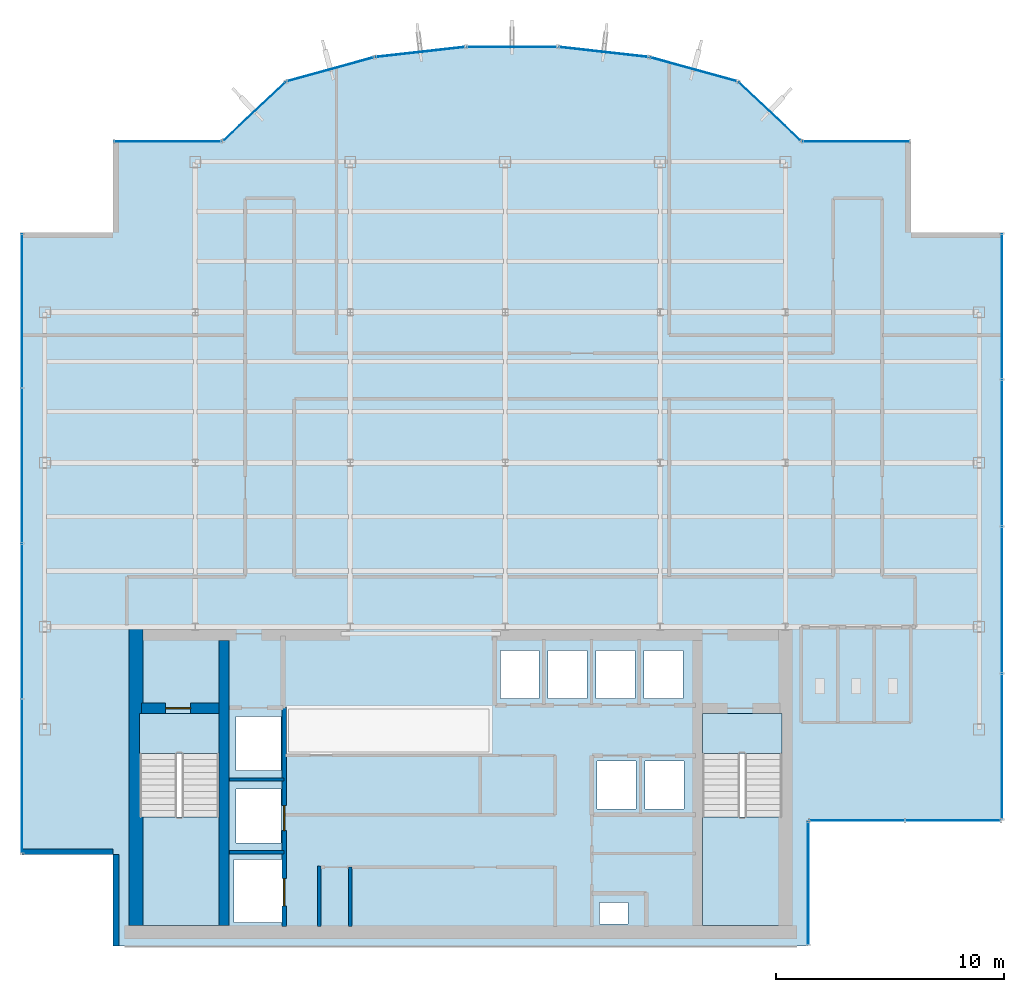
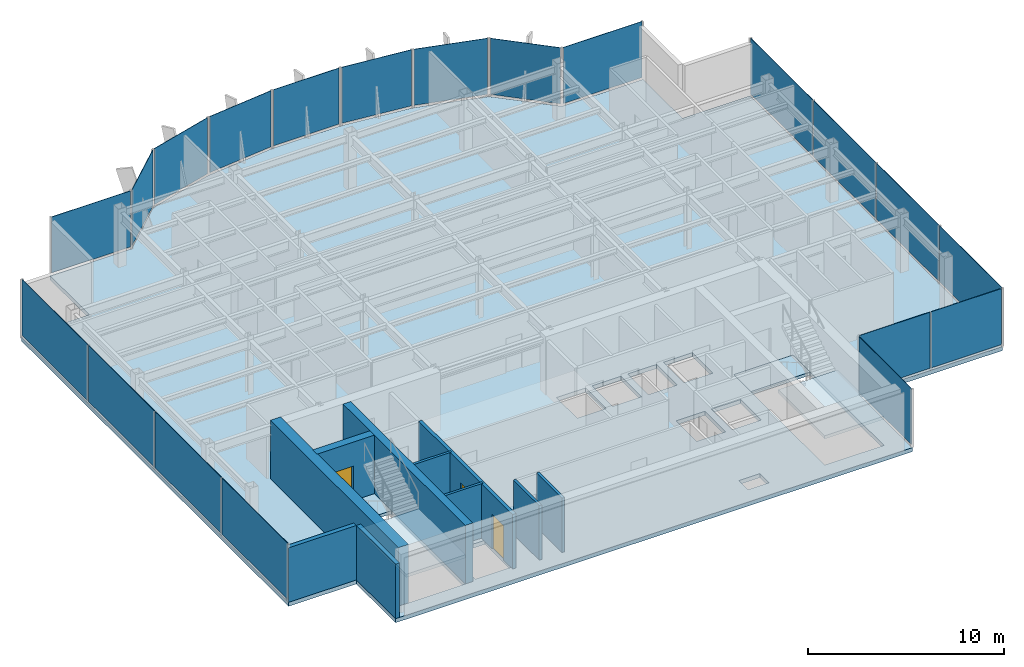
# One storey, part 16 of 22: 20 plates, 10 walls, 5 slabs, 3 doors, 3 openings, 15 elements without a shape of their own.
"""IFC4 building model written with IfcOpenShell, lengths in metres."""

from ifc_helpers import new_model, si_unit, derived_unit, direction, frame, frame_2d, origin, origin_2d, place, context, subcontext, project, spatial, polyline, rectangle, outline, extrude, source, transform, mapped, material, layer, layer_set, type_object, element, fill, aggregate, save


model = new_model("IFC4")

# Units and contexts
model_context = context("Model", 3, precision=1e-05, world=origin(), true_north=direction((0.0, 1.0)))
body_context = subcontext(model_context, "Body", "Model", "MODEL_VIEW")
ifc_project = project(units=[si_unit("LENGTHUNIT", "METRE"), si_unit("AREAUNIT", "SQUARE_METRE"), si_unit("VOLUMEUNIT", "CUBIC_METRE"), si_unit("PLANEANGLEUNIT", "RADIAN"), si_unit("MASSUNIT", "GRAM", prefix="KILO"), derived_unit("THERMALTRANSMITTANCEUNIT", [(si_unit("POWERUNIT", "WATT"), 1), (si_unit("LENGTHUNIT", "METRE"), -2), (si_unit("THERMODYNAMICTEMPERATUREUNIT", "KELVIN"), -1)])], contexts=[model_context])

# Site, building, storey
site_placement = place(None, origin())
site = spatial("IfcSite", under=ifc_project, at=site_placement, CompositionType="ELEMENT")
building_placement = place(site_placement, origin())
building = spatial("IfcBuilding", under=site, at=building_placement, Name="Skarnbrae Concourse Arena and Tower", CompositionType="ELEMENT")
storey_placement = place(building_placement, frame((0.0, 0.0, 244.199951171875)))
storey = spatial("IfcBuildingStorey", under=building, at=storey_placement, Name="L63", CompositionType="ELEMENT", Elevation=244.199951171875)

# Stair, slab
ifc_material_1 = material(Name="Concrete 40 MPa (C40/50)", Category="concrete")
stair_type = type_object("IfcStairType", Name="STAIR-DOGLEG-1650", PredefinedType="HALF_TURN_STAIR", material=ifc_material_1)
stair_1_placement = place(storey_placement, origin())
stair_1 = element("IfcStair", 1, at=stair_1_placement, inside=storey, type_object=stair_type, Name="L63 Protected Exit Stair ST-1", PredefinedType="HALF_TURN_STAIR")
ifc_layer_1 = layer(ifc_material_1, 0.199951171875)
ifc_layer_set_1 = layer_set([ifc_layer_1], Name="Concrete 40 MPa (C40/50)")
slab_type_1 = type_object("IfcSlabType", Name="SLAB-LANDING-200", PredefinedType="LANDING", material=ifc_layer_set_1)
slab_1_placement = place(storey_placement, frame((0.0, 0.0, 1.625)))
slab_1 = element("IfcSlab", 2, at=slab_1_placement, type_object=slab_type_1, Name="ST-1 landing 1", PredefinedType="LANDING", context=body_context, shape_type="SweptSolid", body=[
    extrude(outline(polyline([(5.14990234375, 5.64990234375), (5.14990234375, 0.89990234375), (8.64990234375, 0.89990234375), (8.64990234375, 5.64990234375), (5.14990234375, 5.64990234375)])), origin(), (0.0, 0.0, 1.0), 0.199951171875),
])
aggregate(stair_1, [slab_1])

stair_2_placement = place(storey_placement, origin())
stair_2 = element("IfcStair", 3, at=stair_2_placement, inside=storey, type_object=stair_type, Name="L63 Protected Exit Stair ST-2", PredefinedType="HALF_TURN_STAIR")
slab_2_placement = place(storey_placement, frame((0.0, 0.0, 1.625)))
slab_2 = element("IfcSlab", 4, at=slab_2_placement, type_object=slab_type_1, Name="ST-2 landing 1", PredefinedType="LANDING", context=body_context, shape_type="SweptSolid", body=[
    extrude(outline(polyline([(29.85009765625, 5.64990234375), (29.85009765625, 0.89990234375), (33.35009765625, 0.89990234375), (33.35009765625, 5.64990234375), (29.85009765625, 5.64990234375)])), origin(), (0.0, 0.0, 1.0), 0.199951171875),
])
aggregate(stair_2, [slab_2])

# Slabs
slab_3_placement = place(storey_placement, frame((0.0, 0.0, -0.199951171875)))
element("IfcSlab", 5, at=slab_3_placement, inside=storey, type_object=slab_type_1, Name="L63 Core stair ST1 floor landing", PredefinedType="LANDING", context=body_context, shape_type="SweptSolid", body=[
    extrude(outline(polyline([(5.14990234375, 10.199951171875), (5.14990234375, 8.449951171875), (8.64990234375, 8.449951171875), (8.64990234375, 10.199951171875), (5.14990234375, 10.199951171875)])), origin(), (0.0, 0.0, 1.0), 0.199951171875),
])
slab_4_placement = place(storey_placement, frame((0.0, 0.0, -0.199951171875)))
element("IfcSlab", 6, at=slab_4_placement, inside=storey, type_object=slab_type_1, Name="L63 Core stair ST2 floor landing", PredefinedType="LANDING", context=body_context, shape_type="SweptSolid", body=[
    extrude(outline(polyline([(29.85009765625, 10.199951171875), (29.85009765625, 8.449951171875), (33.35009765625, 8.449951171875), (33.35009765625, 10.199951171875), (29.85009765625, 10.199951171875)])), origin(), (0.0, 0.0, 1.0), 0.199951171875),
])
ifc_layer_2 = layer(ifc_material_1, 0.25)
ifc_layer_set_2 = layer_set([ifc_layer_2], Name="Concrete 40 MPa (C40/50)")
slab_type_2 = type_object("IfcSlabType", Name="SLAB-TOWER-250", PredefinedType="FLOOR", material=ifc_layer_set_2)
slab_5_placement = place(storey_placement, frame((0.0, 0.0, -0.25)))
element("IfcSlab", 7, at=slab_5_placement, inside=storey, type_object=slab_type_2, Name="L63 Structural floor slab", PredefinedType="FLOOR", context=body_context, shape_type="SweptSolid", body=[
    extrude(outline(polyline([(4.0, 0.0), (34.5, 0.0), (34.5, 5.5), (43.0, 5.5), (43.0, 31.300048828125), (39.0, 31.300048828125), (39.0, 35.300048828125), (34.199951171875, 35.300048828125), (31.40966796875, 37.9267578125), (27.52587890625, 38.9970703125), (23.51708984375, 39.44677734375), (19.48291015625, 39.44677734375), (15.47412109375, 38.9970703125), (11.59033203125, 37.9267578125), (8.800048828125, 35.300048828125), (4.0, 35.300048828125), (4.0, 31.300048828125), (0.0, 31.300048828125), (0.0, 4.0), (4.0, 4.0), (4.0, 0.0)]), holes=[polyline([(9.294921875, 1.02001953125), (9.294921875, 3.780029296875), (11.455078125, 3.780029296875), (11.455078125, 1.02001953125), (9.294921875, 1.02001953125)]), polyline([(8.64990234375, 10.199951171875), (8.64990234375, 0.89990234375), (5.14990234375, 0.89990234375), (5.14990234375, 10.199951171875), (8.64990234375, 10.199951171875)]), polyline([(9.39501953125, 6.8798828125), (11.35498046875, 6.8798828125), (11.35498046875, 4.52001953125), (9.39501953125, 4.52001953125), (9.39501953125, 6.8798828125)]), polyline([(9.39501953125, 7.695068359375), (9.39501953125, 10.054931640625), (11.35498046875, 10.054931640625), (11.35498046875, 7.695068359375), (9.39501953125, 7.695068359375)]), polyline([(20.985107421875, 12.955078125), (22.695068359375, 12.955078125), (22.695068359375, 10.844970703125), (20.985107421875, 10.844970703125), (20.985107421875, 12.955078125)]), polyline([(23.0849609375, 12.955078125), (24.794921875, 12.955078125), (24.794921875, 10.844970703125), (23.0849609375, 10.844970703125), (23.0849609375, 12.955078125)]), polyline([(25.35009765625, 0.949951171875), (25.35009765625, 1.889892578125), (26.60009765625, 1.889892578125), (26.60009765625, 0.949951171875), (25.35009765625, 0.949951171875)]), polyline([(33.35009765625, 10.199951171875), (33.35009765625, 0.89990234375), (29.85009765625, 0.89990234375), (29.85009765625, 10.199951171875), (33.35009765625, 10.199951171875)]), polyline([(25.235107421875, 8.10498046875), (26.945068359375, 8.10498046875), (26.945068359375, 5.9951171875), (25.235107421875, 5.9951171875), (25.235107421875, 8.10498046875)]), polyline([(27.3349609375, 5.9951171875), (27.3349609375, 8.10498046875), (29.044921875, 8.10498046875), (29.044921875, 5.9951171875), (27.3349609375, 5.9951171875)]), polyline([(25.18505859375, 12.955078125), (26.89501953125, 12.955078125), (26.89501953125, 10.844970703125), (25.18505859375, 10.844970703125), (25.18505859375, 12.955078125)]), polyline([(27.284912109375, 12.955078125), (28.9951171875, 12.955078125), (28.9951171875, 10.844970703125), (27.284912109375, 10.844970703125), (27.284912109375, 12.955078125)])]), origin(), (0.0, 0.0, 1.0), 0.25),
])

# Curtain wall, plate
ifc_material_2 = material(Name="Bronze anodised aluminium 6063-T6", Category="aluminium")
curtain_wall_type = type_object("IfcCurtainWallType", Name="CW-SYS-05-HIGHZONE", PredefinedType="USERDEFINED", material=ifc_material_2)
curtain_wall_1_placement = place(storey_placement, origin())
curtain_wall_1 = element("IfcCurtainWall", 8, at=curtain_wall_1_placement, inside=storey, type_object=curtain_wall_type, Name="L63 Unitised curtain wall CW-L63-E02", ObjectType="UNITISED CURTAIN WALL", PredefinedType="USERDEFINED")
ifc_material_3 = material(Name="Low-E triple insulating glass", Category="glass")
ifc_layer_3 = layer(ifc_material_3, 0.030029296875)
ifc_layer_set_3 = layer_set([ifc_layer_3], Name="Low-E triple insulating glass")
plate_type = type_object("IfcPlateType", Name="CWP-CW-05", PredefinedType="CURTAIN_PANEL", material=ifc_layer_set_3)
shared_shape_1 = source(origin(), body_context, "Body", "SweptSolid", [
    extrude(rectangle(XDim=5.35009765625, YDim=0.030029296875, at=origin_2d()), origin(), (0.0, 0.0, 1.0), 3.5),
])
plate_1_placement = place(storey_placement, frame((34.5, 2.75, 0.150146484375), z_axis=(0.0, 0.0, 1.0), x_axis=(0.0, 1.0, 0.0)))
plate_1 = element("IfcPlate", 9, at=plate_1_placement, type_object=plate_type, Name="CW-L63-E02 Low-E Glazing Panel 1", PredefinedType="CURTAIN_PANEL", context=body_context, shape_type="MappedRepresentation", body=[
    mapped(shared_shape_1, transform((0.0, 0.0, 0.0))),
])
aggregate(curtain_wall_1, [plate_1])

# Curtain wall, plates
curtain_wall_2_placement = place(storey_placement, origin())
curtain_wall_2 = element("IfcCurtainWall", 10, at=curtain_wall_2_placement, inside=storey, type_object=curtain_wall_type, Name="L63 Unitised curtain wall CW-L63-E03", ObjectType="UNITISED CURTAIN WALL", PredefinedType="USERDEFINED")
shared_shape_2 = source(origin(), body_context, "Body", "SweptSolid", [
    extrude(rectangle(XDim=4.137451171875, YDim=0.030029296875, at=origin_2d()), origin(), (0.0, 0.0, 1.0), 3.5),
])
plate_2_placement = place(storey_placement, frame((36.643798828125, 5.5, 0.150146484375), z_axis=(0.0, 0.0, 1.0), x_axis=(1.0, 0.0, 0.0)))
plate_2 = element("IfcPlate", 11, at=plate_2_placement, type_object=plate_type, Name="CW-L63-E03 Low-E Glazing Panel 1", PredefinedType="CURTAIN_PANEL", context=body_context, shape_type="MappedRepresentation", body=[
    mapped(shared_shape_2, transform((0.0, 0.0, 0.0))),
])
plate_3_placement = place(storey_placement, frame((40.856201171875, 5.5, 0.150146484375), z_axis=(0.0, 0.0, 1.0), x_axis=(1.0, 0.0, 0.0)))
plate_3 = element("IfcPlate", 12, at=plate_3_placement, type_object=plate_type, Name="CW-L63-E03 Low-E Glazing Panel 2", PredefinedType="CURTAIN_PANEL", context=body_context, shape_type="MappedRepresentation", body=[
    mapped(shared_shape_2, transform((0.0, 0.0, 0.0))),
])
aggregate(curtain_wall_2, [plate_2, plate_3])

# Curtain wall, plate
curtain_wall_3_placement = place(storey_placement, origin())
curtain_wall_3 = element("IfcCurtainWall", 13, at=curtain_wall_3_placement, inside=storey, type_object=curtain_wall_type, Name="L63 Unitised curtain wall CW-L63-E07", ObjectType="UNITISED CURTAIN WALL", PredefinedType="USERDEFINED")
shared_shape_3 = source(origin(), body_context, "Body", "SweptSolid", [
    extrude(rectangle(XDim=4.64990234375, YDim=0.030029296875, at=origin_2d()), origin(), (0.0, 0.0, 1.0), 3.5),
])
plate_4_placement = place(storey_placement, frame((36.60009765625, 35.300048828125, 0.150146484375), z_axis=(0.0, 0.0, 1.0), x_axis=(-1.0, 0.0, 0.0)))
plate_4 = element("IfcPlate", 14, at=plate_4_placement, type_object=plate_type, Name="CW-L63-E07 Low-E Glazing Panel 1", PredefinedType="CURTAIN_PANEL", context=body_context, shape_type="MappedRepresentation", body=[
    mapped(shared_shape_3, transform((0.0, 0.0, 0.0))),
])
aggregate(curtain_wall_3, [plate_4])

curtain_wall_4_placement = place(storey_placement, origin())
curtain_wall_4 = element("IfcCurtainWall", 15, at=curtain_wall_4_placement, inside=storey, type_object=curtain_wall_type, Name="L63 Unitised curtain wall CW-L63-E15", ObjectType="UNITISED CURTAIN WALL", PredefinedType="USERDEFINED")
plate_5_placement = place(storey_placement, frame((6.39990234375, 35.300048828125, 0.150146484375), z_axis=(0.0, 0.0, 1.0), x_axis=(-1.0, 0.0, 0.0)))
plate_5 = element("IfcPlate", 16, at=plate_5_placement, type_object=plate_type, Name="CW-L63-E15 Low-E Glazing Panel 1", PredefinedType="CURTAIN_PANEL", context=body_context, shape_type="MappedRepresentation", body=[
    mapped(shared_shape_3, transform((0.0, 0.0, 0.0))),
])
aggregate(curtain_wall_4, [plate_5])

curtain_wall_5_placement = place(storey_placement, origin())
curtain_wall_5 = element("IfcCurtainWall", 17, at=curtain_wall_5_placement, inside=storey, type_object=curtain_wall_type, Name="L63 Unitised curtain wall CW-L63-E08", ObjectType="UNITISED CURTAIN WALL", PredefinedType="USERDEFINED")
shared_shape_4 = source(origin(), body_context, "Body", "SweptSolid", [
    extrude(rectangle(XDim=3.68212890625, YDim=0.030029296875, at=origin_2d()), origin(), (0.0, 0.0, 1.0), 3.5),
])
plate_6_placement = place(storey_placement, frame((32.804931640625, 36.61328125, 0.150146484375), z_axis=(0.0, 0.0, 1.0), x_axis=(-0.728130555214, 0.685438468838, 0.0)))
plate_6 = element("IfcPlate", 18, at=plate_6_placement, type_object=plate_type, Name="CW-L63-E08 Low-E Glazing Panel 1", PredefinedType="CURTAIN_PANEL", context=body_context, shape_type="MappedRepresentation", body=[
    mapped(shared_shape_4, transform((0.0, 0.0, 0.0))),
])
aggregate(curtain_wall_5, [plate_6])

curtain_wall_6_placement = place(storey_placement, origin())
curtain_wall_6 = element("IfcCurtainWall", 19, at=curtain_wall_6_placement, inside=storey, type_object=curtain_wall_type, Name="L63 Unitised curtain wall CW-L63-E14", ObjectType="UNITISED CURTAIN WALL", PredefinedType="USERDEFINED")
plate_7_placement = place(storey_placement, frame((10.195068359375, 36.61328125, 0.150146484375), z_axis=(0.0, 0.0, 1.0), x_axis=(-0.728130555214, -0.685438468838, 0.0)))
plate_7 = element("IfcPlate", 20, at=plate_7_placement, type_object=plate_type, Name="CW-L63-E14 Low-E Glazing Panel 1", PredefinedType="CURTAIN_PANEL", context=body_context, shape_type="MappedRepresentation", body=[
    mapped(shared_shape_4, transform((0.0, 0.0, 0.0))),
])
aggregate(curtain_wall_6, [plate_7])

curtain_wall_7_placement = place(storey_placement, origin())
curtain_wall_7 = element("IfcCurtainWall", 21, at=curtain_wall_7_placement, inside=storey, type_object=curtain_wall_type, Name="L63 Unitised curtain wall CW-L63-E09", ObjectType="UNITISED CURTAIN WALL", PredefinedType="USERDEFINED")
shared_shape_5 = source(origin(), body_context, "Body", "SweptSolid", [
    extrude(rectangle(XDim=3.878662109375, YDim=0.030029296875, at=origin_2d()), origin(), (0.0, 0.0, 1.0), 3.5),
])
plate_8_placement = place(storey_placement, frame((29.4677734375, 38.4619140625, 0.150146484375), z_axis=(0.0, 0.0, 1.0), x_axis=(-0.964057388766, 0.265694093207, 0.0)))
plate_8 = element("IfcPlate", 22, at=plate_8_placement, type_object=plate_type, Name="CW-L63-E09 Low-E Glazing Panel 1", PredefinedType="CURTAIN_PANEL", context=body_context, shape_type="MappedRepresentation", body=[
    mapped(shared_shape_5, transform((0.0, 0.0, 0.0))),
])
aggregate(curtain_wall_7, [plate_8])

curtain_wall_8_placement = place(storey_placement, origin())
curtain_wall_8 = element("IfcCurtainWall", 23, at=curtain_wall_8_placement, inside=storey, type_object=curtain_wall_type, Name="L63 Unitised curtain wall CW-L63-E13", ObjectType="UNITISED CURTAIN WALL", PredefinedType="USERDEFINED")
plate_9_placement = place(storey_placement, frame((13.5322265625, 38.4619140625, 0.150146484375), z_axis=(0.0, 0.0, 1.0), x_axis=(-0.964057388766, -0.265694093207, 0.0)))
plate_9 = element("IfcPlate", 24, at=plate_9_placement, type_object=plate_type, Name="CW-L63-E13 Low-E Glazing Panel 1", PredefinedType="CURTAIN_PANEL", context=body_context, shape_type="MappedRepresentation", body=[
    mapped(shared_shape_5, transform((0.0, 0.0, 0.0))),
])
aggregate(curtain_wall_8, [plate_9])

curtain_wall_9_placement = place(storey_placement, origin())
curtain_wall_9 = element("IfcCurtainWall", 25, at=curtain_wall_9_placement, inside=storey, type_object=curtain_wall_type, Name="L63 Unitised curtain wall CW-L63-E10", ObjectType="UNITISED CURTAIN WALL", PredefinedType="USERDEFINED")
shared_shape_6 = source(origin(), body_context, "Body", "SweptSolid", [
    extrude(rectangle(XDim=3.8837890625, YDim=0.030029296875, at=origin_2d()), origin(), (0.0, 0.0, 1.0), 3.5),
])
plate_10_placement = place(storey_placement, frame((25.521484375, 39.221923828125, 0.150146484375), z_axis=(0.0, 0.0, 1.0), x_axis=(-0.993768891873, 0.111460259941, 0.0)))
plate_10 = element("IfcPlate", 26, at=plate_10_placement, type_object=plate_type, Name="CW-L63-E10 Low-E Glazing Panel 1", PredefinedType="CURTAIN_PANEL", context=body_context, shape_type="MappedRepresentation", body=[
    mapped(shared_shape_6, transform((0.0, 0.0, 0.0))),
])
aggregate(curtain_wall_9, [plate_10])

curtain_wall_10_placement = place(storey_placement, origin())
curtain_wall_10 = element("IfcCurtainWall", 27, at=curtain_wall_10_placement, inside=storey, type_object=curtain_wall_type, Name="L63 Unitised curtain wall CW-L63-E12", ObjectType="UNITISED CURTAIN WALL", PredefinedType="USERDEFINED")
plate_11_placement = place(storey_placement, frame((17.478515625, 39.221923828125, 0.150146484375), z_axis=(0.0, 0.0, 1.0), x_axis=(-0.993768891873, -0.111460259941, 0.0)))
plate_11 = element("IfcPlate", 28, at=plate_11_placement, type_object=plate_type, Name="CW-L63-E12 Low-E Glazing Panel 1", PredefinedType="CURTAIN_PANEL", context=body_context, shape_type="MappedRepresentation", body=[
    mapped(shared_shape_6, transform((0.0, 0.0, 0.0))),
])
aggregate(curtain_wall_10, [plate_11])

curtain_wall_11_placement = place(storey_placement, origin())
curtain_wall_11 = element("IfcCurtainWall", 29, at=curtain_wall_11_placement, inside=storey, type_object=curtain_wall_type, Name="L63 Unitised curtain wall CW-L63-E11", ObjectType="UNITISED CURTAIN WALL", PredefinedType="USERDEFINED")
shared_shape_7 = source(origin(), body_context, "Body", "SweptSolid", [
    extrude(rectangle(XDim=3.884521484375, YDim=0.030029296875, at=origin_2d()), origin(), (0.0, 0.0, 1.0), 3.5),
])
plate_12_placement = place(storey_placement, frame((21.5, 39.44677734375, 0.150146484375), z_axis=(0.0, 0.0, 1.0), x_axis=(-1.0, 0.0, 0.0)))
plate_12 = element("IfcPlate", 30, at=plate_12_placement, type_object=plate_type, Name="CW-L63-E11 Low-E Glazing Panel 1", PredefinedType="CURTAIN_PANEL", context=body_context, shape_type="MappedRepresentation", body=[
    mapped(shared_shape_7, transform((0.0, 0.0, 0.0))),
])
aggregate(curtain_wall_11, [plate_12])

# Curtain wall, plates
curtain_wall_12_placement = place(storey_placement, origin())
curtain_wall_12 = element("IfcCurtainWall", 31, at=curtain_wall_12_placement, inside=storey, type_object=curtain_wall_type, Name="L63 Unitised curtain wall CW-L63-E18", ObjectType="UNITISED CURTAIN WALL", PredefinedType="USERDEFINED")
shared_shape_8 = source(origin(), body_context, "Body", "SweptSolid", [
    extrude(rectangle(XDim=6.71240234375, YDim=0.030029296875, at=origin_2d()), origin(), (0.0, 0.0, 1.0), 3.5),
])
plate_13_placement = place(storey_placement, frame((0.0, 27.86865234375, 0.150146484375), z_axis=(0.0, 0.0, 1.0), x_axis=(0.0, -1.0, 0.0)))
plate_13 = element("IfcPlate", 32, at=plate_13_placement, type_object=plate_type, Name="CW-L63-E18 Low-E Glazing Panel 1", PredefinedType="CURTAIN_PANEL", context=body_context, shape_type="MappedRepresentation", body=[
    mapped(shared_shape_8, transform((0.0, 0.0, 0.0))),
])
plate_14_placement = place(storey_placement, frame((0.0, 7.431396484375, 0.150146484375), z_axis=(0.0, 0.0, 1.0), x_axis=(0.0, -1.0, 0.0)))
plate_14 = element("IfcPlate", 33, at=plate_14_placement, type_object=plate_type, Name="CW-L63-E18 Low-E Glazing Panel 4", PredefinedType="CURTAIN_PANEL", context=body_context, shape_type="MappedRepresentation", body=[
    mapped(shared_shape_8, transform((0.0, 0.0, 0.0))),
])
shared_shape_9 = source(origin(), body_context, "Body", "SweptSolid", [
    extrude(rectangle(XDim=6.75, YDim=0.030029296875, at=origin_2d()), origin(), (0.0, 0.0, 1.0), 3.5),
])
plate_15_placement = place(storey_placement, frame((0.0, 21.0625, 0.150146484375), z_axis=(0.0, 0.0, 1.0), x_axis=(0.0, -1.0, 0.0)))
plate_15 = element("IfcPlate", 34, at=plate_15_placement, type_object=plate_type, Name="CW-L63-E18 Low-E Glazing Panel 2", PredefinedType="CURTAIN_PANEL", context=body_context, shape_type="MappedRepresentation", body=[
    mapped(shared_shape_9, transform((0.0, 0.0, 0.0))),
])
plate_16_placement = place(storey_placement, frame((0.0, 14.237548828125, 0.150146484375), z_axis=(0.0, 0.0, 1.0), x_axis=(0.0, -1.0, 0.0)))
plate_16 = element("IfcPlate", 35, at=plate_16_placement, type_object=plate_type, Name="CW-L63-E18 Low-E Glazing Panel 3", PredefinedType="CURTAIN_PANEL", context=body_context, shape_type="MappedRepresentation", body=[
    mapped(shared_shape_9, transform((0.0, 0.0, 0.0))),
])
aggregate(curtain_wall_12, [plate_13, plate_15, plate_16, plate_14])

curtain_wall_13_placement = place(storey_placement, origin())
curtain_wall_13 = element("IfcCurtainWall", 36, at=curtain_wall_13_placement, inside=storey, type_object=curtain_wall_type, Name="L63 Unitised curtain wall CW-L63-E04", ObjectType="UNITISED CURTAIN WALL", PredefinedType="USERDEFINED")
shared_shape_10 = source(origin(), body_context, "Body", "SweptSolid", [
    extrude(rectangle(XDim=6.33740234375, YDim=0.030029296875, at=origin_2d()), origin(), (0.0, 0.0, 1.0), 3.5),
])
plate_17_placement = place(storey_placement, frame((43.0, 8.743896484375, 0.150146484375), z_axis=(0.0, 0.0, 1.0), x_axis=(0.0, 1.0, 0.0)))
plate_17 = element("IfcPlate", 37, at=plate_17_placement, type_object=plate_type, Name="CW-L63-E04 Low-E Glazing Panel 1", PredefinedType="CURTAIN_PANEL", context=body_context, shape_type="MappedRepresentation", body=[
    mapped(shared_shape_10, transform((0.0, 0.0, 0.0))),
])
plate_18_placement = place(storey_placement, frame((43.0, 28.05615234375, 0.150146484375), z_axis=(0.0, 0.0, 1.0), x_axis=(0.0, 1.0, 0.0)))
plate_18 = element("IfcPlate", 38, at=plate_18_placement, type_object=plate_type, Name="CW-L63-E04 Low-E Glazing Panel 4", PredefinedType="CURTAIN_PANEL", context=body_context, shape_type="MappedRepresentation", body=[
    mapped(shared_shape_10, transform((0.0, 0.0, 0.0))),
])
shared_shape_11 = source(origin(), body_context, "Body", "SweptSolid", [
    extrude(rectangle(XDim=6.375, YDim=0.030029296875, at=origin_2d()), origin(), (0.0, 0.0, 1.0), 3.5),
])
plate_19_placement = place(storey_placement, frame((43.0, 15.175048828125, 0.150146484375), z_axis=(0.0, 0.0, 1.0), x_axis=(0.0, 1.0, 0.0)))
plate_19 = element("IfcPlate", 39, at=plate_19_placement, type_object=plate_type, Name="CW-L63-E04 Low-E Glazing Panel 2", PredefinedType="CURTAIN_PANEL", context=body_context, shape_type="MappedRepresentation", body=[
    mapped(shared_shape_11, transform((0.0, 0.0, 0.0))),
])
plate_20_placement = place(storey_placement, frame((43.0, 21.625, 0.150146484375), z_axis=(0.0, 0.0, 1.0), x_axis=(0.0, 1.0, 0.0)))
plate_20 = element("IfcPlate", 40, at=plate_20_placement, type_object=plate_type, Name="CW-L63-E04 Low-E Glazing Panel 3", PredefinedType="CURTAIN_PANEL", context=body_context, shape_type="MappedRepresentation", body=[
    mapped(shared_shape_11, transform((0.0, 0.0, 0.0))),
])
aggregate(curtain_wall_13, [plate_17, plate_19, plate_20, plate_18])

# Wall, opening, door
ifc_material_4 = material(Name="Concrete 50 MPa (C50/60)", Category="concrete")
ifc_layer_4 = layer(ifc_material_4, 0.449951171875)
ifc_layer_set_4 = layer_set([ifc_layer_4], Name="Concrete 50 MPa (C50/60)")
wall_type_1 = type_object("IfcWallType", Name="WALL-CORE-450-C50", PredefinedType="SHEAR", material=ifc_layer_set_4)
shared_shape_12 = source(origin(), body_context, "Body", "SweptSolid", [
    extrude(rectangle(XDim=3.389892578125, YDim=0.449951171875, at=frame_2d((1.69482421875, 0.0))), origin(), (0.0, 0.0, 1.0), 3.650146484375),
])
wall_1_placement = place(storey_placement, frame((5.25, 10.419921875, 0.0), z_axis=(0.0, 0.0, 1.0), x_axis=(1.0, 0.0, 0.0)))
wall_1 = element("IfcWall", 41, at=wall_1_placement, inside=storey, type_object=wall_type_1, Name="L63 Rear core shear wall CW-ST1-N", PredefinedType="SHEAR", context=body_context, shape_type="MappedRepresentation", body=[
    mapped(shared_shape_12, transform((0.0, 0.0, 0.0))),
])
opening_1_placement = place(wall_1_placement, frame((1.050048828125, 0.0, 0.0)))
opening_1 = element("IfcOpeningElement", 42, at=opening_1_placement, cuts=wall_1, Name="Opening DT-03", PredefinedType="OPENING", context=body_context, shape_type="SweptSolid", body=[
    extrude(rectangle(XDim=1.10009765625, YDim=2.14990234375, at=frame_2d((0.550048828125, 1.074951171875))), frame((0.0, 0.23486328125, 0.0), z_axis=(0.0, -1.0, 0.0), x_axis=(1.0, 0.0, 0.0)), (0.0, 0.0, 1.0), 0.469970703125),
])
ifc_material_5 = material(Name="Steel CSA G40.21 350W", Category="steel")
door_type_1 = type_object("IfcDoorType", Name="DOOR-FIRE-1100-90M", OperationType="NOTDEFINED", PredefinedType="DOOR", material=ifc_material_5)
shared_shape_13 = source(origin(), body_context, "Body", "SweptSolid", [
    extrude(rectangle(XDim=1.10009765625, YDim=2.14990234375, at=frame_2d((0.550048828125, 1.074951171875))), frame((0.0, 0.02490234375, 0.0), z_axis=(0.0, -1.0, 0.0), x_axis=(1.0, 0.0, 0.0)), (0.0, 0.0, 1.0), 0.050048828125),
])
door_1_placement = place(opening_1_placement, frame((1.10009765625, 0.0, 0.0), z_axis=(0.0, 0.0, 1.0), x_axis=(-1.0, 0.0, 0.0)))
door_1 = element("IfcDoor", 43, at=door_1_placement, inside=storey, type_object=door_type_1, Name="D-1893 Stair ST-1 Door", OperationType="SINGLE_SWING_LEFT", OverallHeight=2.14990234375, OverallWidth=1.10009765625, PredefinedType="DOOR", context=body_context, shape_type="MappedRepresentation", body=[
    mapped(shared_shape_13, transform((0.0, 0.0, 0.0))),
])
fill(opening_1, door_1)

# Walls
ifc_layer_5 = layer(ifc_material_4, 0.60009765625)
ifc_layer_set_5 = layer_set([ifc_layer_5], Name="Concrete 50 MPa (C50/60)")
wall_type_2 = type_object("IfcWallType", Name="WALL-CORE-600-C50", PredefinedType="SHEAR", material=ifc_layer_set_5)
shared_shape_14 = source(origin(), body_context, "Body", "SweptSolid", [
    extrude(rectangle(XDim=13.10009765625, YDim=0.60009765625, at=frame_2d((6.550048828125, 0.0))), origin(), (0.0, 0.0, 1.0), 3.650146484375),
])
wall_2_placement = place(storey_placement, frame((5.0, 0.89990234375, 0.0), z_axis=(0.0, 0.0, 1.0), x_axis=(0.0, 1.0, 0.0)))
element("IfcWall", 44, at=wall_2_placement, inside=storey, type_object=wall_type_2, Name="L63 Rear core shear wall CW-W", PredefinedType="SHEAR", context=body_context, shape_type="MappedRepresentation", body=[
    mapped(shared_shape_14, transform((0.0, 0.0, 0.0))),
])
shared_shape_15 = source(origin(), body_context, "Body", "SweptSolid", [
    extrude(rectangle(XDim=12.5, YDim=0.449951171875, at=frame_2d((6.25, 0.0))), origin(), (0.0, 0.0, 1.0), 3.650146484375),
])
wall_3_placement = place(storey_placement, frame((8.864990234375, 0.89990234375, 0.0), z_axis=(0.0, 0.0, 1.0), x_axis=(0.0, 1.0, 0.0)))
element("IfcWall", 45, at=wall_3_placement, inside=storey, type_object=wall_type_1, Name="L63 Rear core shear wall CW-WEB-W", PredefinedType="SHEAR", context=body_context, shape_type="MappedRepresentation", body=[
    mapped(shared_shape_15, transform((0.0, 0.0, 0.0))),
])
ifc_material_6 = material(Name="Precast concrete 40 MPa (C40/50)", Category="concrete")
ifc_layer_6 = layer(ifc_material_6, 0.25)
ifc_layer_set_6 = layer_set([ifc_layer_6], Name="Precast concrete 40 MPa (C40/50)")
wall_type_3 = type_object("IfcWallType", Name="WALL-EXT-SPANDREL-250", PredefinedType="STANDARD", material=ifc_layer_set_6)
shared_shape_16 = source(origin(), body_context, "Body", "SweptSolid", [
    extrude(rectangle(XDim=4.0, YDim=0.25, at=frame_2d((2.0, 0.0))), origin(), (0.0, 0.0, 1.0), 3.400146484375),
])
for number, where, z_axis, x_axis, name in (
    (46, (0.0, 4.125, 0.0), (0.0, 0.0, 1.0), (1.0, 0.0, 0.0), "L63 Notched corner insulated return wall 19"),
    (47, (4.125, 4.0, 0.0), (0.0, 0.0, 1.0), (0.0, -1.0, 0.0), "L63 Notched corner insulated return wall 20"),
):
    element("IfcWall", number, at=place(storey_placement, frame(where, z_axis=z_axis, x_axis=x_axis)), inside=storey, type_object=wall_type_3, Name=name, PredefinedType="STANDARD", context=body_context, shape_type="MappedRepresentation", body=[
        mapped(shared_shape_16, transform((0.0, 0.0, 0.0))),
    ])

# Wall, openings, doors
ifc_material_7 = material(Name="Gypsum board on cold-formed steel studs", Category="steel")
ifc_layer_7 = layer(ifc_material_7, 0.199951171875)
ifc_layer_set_7 = layer_set([ifc_layer_7], Name="Gypsum board on cold-formed steel studs")
wall_type_4 = type_object("IfcWallType", Name="WALL-PART-200-2HR", PredefinedType="PARTITIONING", material=ifc_layer_set_7)
shared_shape_17 = source(origin(), body_context, "Body", "SweptSolid", [
    extrude(rectangle(XDim=9.599853515625, YDim=0.199951171875, at=frame_2d((4.7998046875, 0.0))), origin(), (0.0, 0.0, 1.0), 3.400146484375),
])
wall_4_placement = place(storey_placement, frame((11.5, 0.85009765625, 0.0), z_axis=(0.0, 0.0, 1.0), x_axis=(0.0, 1.0, 0.0)))
wall_4 = element("IfcWall", 48, at=wall_4_placement, inside=storey, type_object=wall_type_4, Name="L63 Interior partition wall W-L63-FL-E", PredefinedType="PARTITIONING", context=body_context, shape_type="MappedRepresentation", body=[
    mapped(shared_shape_17, transform((0.0, 0.0, 0.0))),
])
opening_2_placement = place(wall_4_placement, frame((4.199951171875, 0.0, 0.0)))
opening_2 = element("IfcOpeningElement", 49, at=opening_2_placement, cuts=wall_4, Name="Opening LD-01", PredefinedType="OPENING", context=body_context, shape_type="SweptSolid", body=[
    extrude(rectangle(XDim=1.10009765625, YDim=2.14990234375, at=frame_2d((0.550048828125, 1.074951171875))), frame((0.0, 0.10986328125, 0.0), z_axis=(0.0, -1.0, 0.0), x_axis=(1.0, 0.0, 0.0)), (0.0, 0.0, 1.0), 0.219970703125),
])
opening_3_placement = place(wall_4_placement, frame((0.89990234375, 0.0, 0.0)))
opening_3 = element("IfcOpeningElement", 50, at=opening_3_placement, cuts=wall_4, Name="Opening LD-02", PredefinedType="OPENING", context=body_context, shape_type="SweptSolid", body=[
    extrude(rectangle(XDim=1.199951171875, YDim=2.14990234375, at=frame_2d((0.60009765625, 1.074951171875))), frame((0.0, 0.10986328125, 0.0), z_axis=(0.0, -1.0, 0.0), x_axis=(1.0, 0.0, 0.0)), (0.0, 0.0, 1.0), 0.219970703125),
])
door_type_2 = type_object("IfcDoorType", Name="DOOR-LIFT-SLIDE-1100", OperationType="SLIDING_TO_LEFT", PredefinedType="DOOR", material=ifc_material_5)
door_2_placement = place(opening_2_placement, frame((1.10009765625, 0.0, 0.0), z_axis=(0.0, 0.0, 1.0), x_axis=(-1.0, 0.0, 0.0)))
door_2 = element("IfcDoor", 51, at=door_2_placement, inside=storey, type_object=door_type_2, Name="D-1898 Firefighting Lift Landing Door FL-02", OperationType="SLIDING_TO_LEFT", OverallHeight=2.14990234375, OverallWidth=1.10009765625, PredefinedType="DOOR", context=body_context, shape_type="MappedRepresentation", body=[
    mapped(shared_shape_13, transform((0.0, 0.0, 0.0))),
])
fill(opening_2, door_2)
door_type_3 = type_object("IfcDoorType", Name="DOOR-LIFT-SLIDE-1200", OperationType="SLIDING_TO_LEFT", PredefinedType="DOOR", material=ifc_material_5)
shared_shape_18 = source(origin(), body_context, "Body", "SweptSolid", [
    extrude(rectangle(XDim=1.199951171875, YDim=2.14990234375, at=frame_2d((0.60009765625, 1.074951171875))), frame((0.0, 0.02490234375, 0.0), z_axis=(0.0, -1.0, 0.0), x_axis=(1.0, 0.0, 0.0)), (0.0, 0.0, 1.0), 0.050048828125),
])
door_3_placement = place(opening_3_placement, frame((1.199951171875, 0.0, 0.0), z_axis=(0.0, 0.0, 1.0), x_axis=(-1.0, 0.0, 0.0)))
door_3 = element("IfcDoor", 52, at=door_3_placement, inside=storey, type_object=door_type_3, Name="D-1899 Service Lift Landing Door SV-01", OperationType="SLIDING_TO_LEFT", OverallHeight=2.14990234375, OverallWidth=1.199951171875, PredefinedType="DOOR", context=body_context, shape_type="MappedRepresentation", body=[
    mapped(shared_shape_18, transform((0.0, 0.0, 0.0))),
])
fill(opening_3, door_3)

# Walls
ifc_layer_8 = layer(ifc_material_7, 0.14990234375)
ifc_layer_set_8 = layer_set([ifc_layer_8], Name="Gypsum board on cold-formed steel studs")
wall_type_5 = type_object("IfcWallType", Name="WALL-PART-150", PredefinedType="PARTITIONING", material=ifc_layer_set_8)
shared_shape_19 = source(origin(), body_context, "Body", "SweptSolid", [
    extrude(rectangle(XDim=2.39990234375, YDim=0.14990234375, at=frame_2d((1.199951171875, 0.0))), origin(), (0.0, 0.0, 1.0), 3.400146484375),
])
for number, where, z_axis, x_axis, name in (
    (53, (9.10009765625, 4.10009765625, 0.0), (0.0, 0.0, 1.0), (1.0, 0.0, 0.0), "L63 Interior partition wall W-L63-FL-D1"),
    (54, (9.10009765625, 7.300048828125, 0.0), (0.0, 0.0, 1.0), (1.0, 0.0, 0.0), "L63 Interior partition wall W-L63-FL-D2"),
):
    element("IfcWall", number, at=place(storey_placement, frame(where, z_axis=z_axis, x_axis=x_axis)), inside=storey, type_object=wall_type_5, Name=name, PredefinedType="PARTITIONING", context=body_context, shape_type="MappedRepresentation", body=[
        mapped(shared_shape_19, transform((0.0, 0.0, 0.0))),
    ])
shared_shape_20 = source(origin(), body_context, "Body", "SweptSolid", [
    extrude(rectangle(XDim=2.599853515625, YDim=0.14990234375, at=frame_2d((1.2998046875, 0.0))), origin(), (0.0, 0.0, 1.0), 3.400146484375),
])
wall_5_placement = place(storey_placement, frame((14.39990234375, 0.85009765625, 0.0), z_axis=(0.0, 0.0, 1.0), x_axis=(0.0, 1.0, 0.0)))
element("IfcWall", 55, at=wall_5_placement, inside=storey, type_object=wall_type_5, Name="L63 Interior partition wall W-L63-B1M-C1", PredefinedType="PARTITIONING", context=body_context, shape_type="MappedRepresentation", body=[
    mapped(shared_shape_20, transform((0.0, 0.0, 0.0))),
])
ifc_layer_9 = layer(ifc_material_7, 0.14990234375)
ifc_layer_set_9 = layer_set([ifc_layer_9], Name="Gypsum board on cold-formed steel studs")
wall_type_6 = type_object("IfcWallType", Name="WALL-PART-150-1HR", PredefinedType="PARTITIONING", material=ifc_layer_set_9)
shared_shape_21 = source(origin(), body_context, "Body", "SweptSolid", [
    extrude(rectangle(XDim=2.64990234375, YDim=0.14990234375, at=frame_2d((1.324951171875, 0.0))), origin(), (0.0, 0.0, 1.0), 3.400146484375),
])
wall_6_placement = place(storey_placement, frame((13.050048828125, 0.85009765625, 0.0), z_axis=(0.0, 0.0, 1.0), x_axis=(0.0, 1.0, 0.0)))
element("IfcWall", 56, at=wall_6_placement, inside=storey, type_object=wall_type_6, Name="L63 Interior partition wall W-L63-B1M-W", PredefinedType="PARTITIONING", context=body_context, shape_type="MappedRepresentation", body=[
    mapped(shared_shape_21, transform((0.0, 0.0, 0.0))),
])

save(model, "model.ifc")
